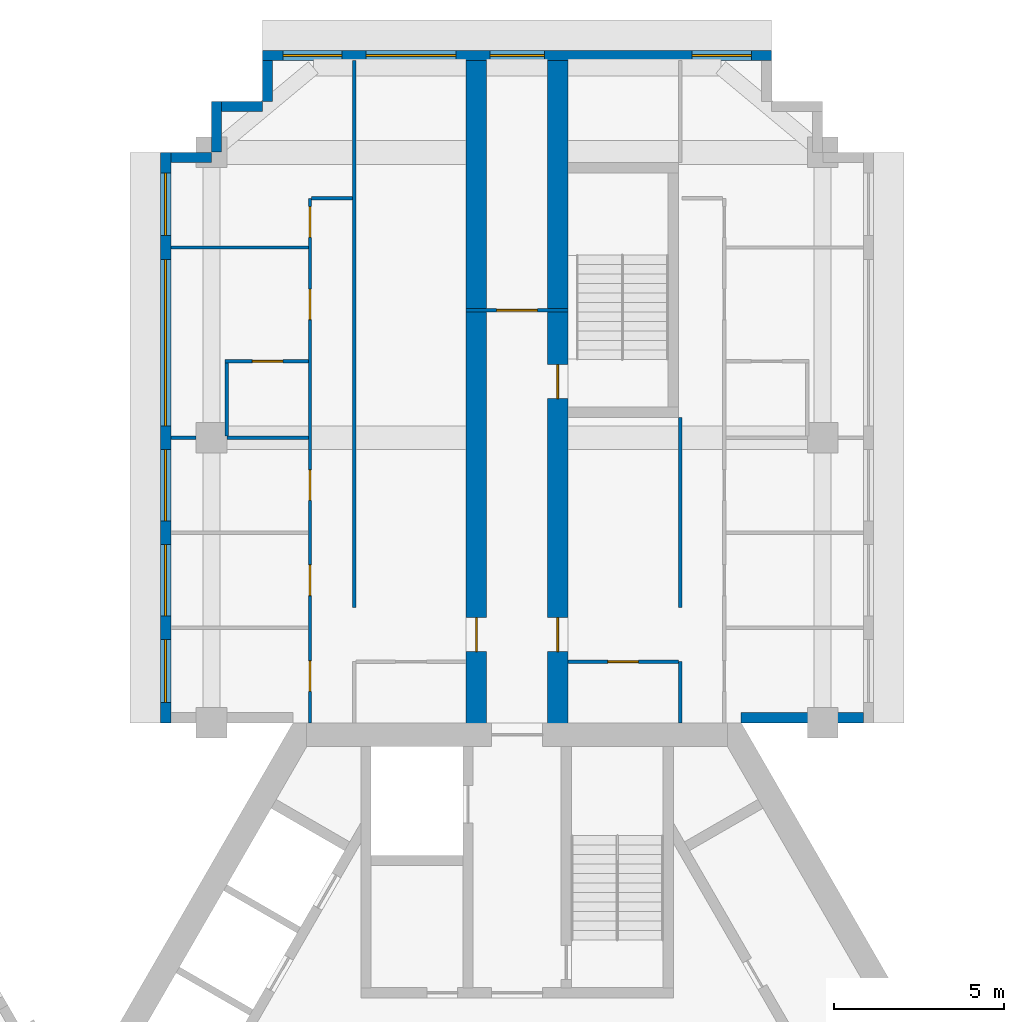
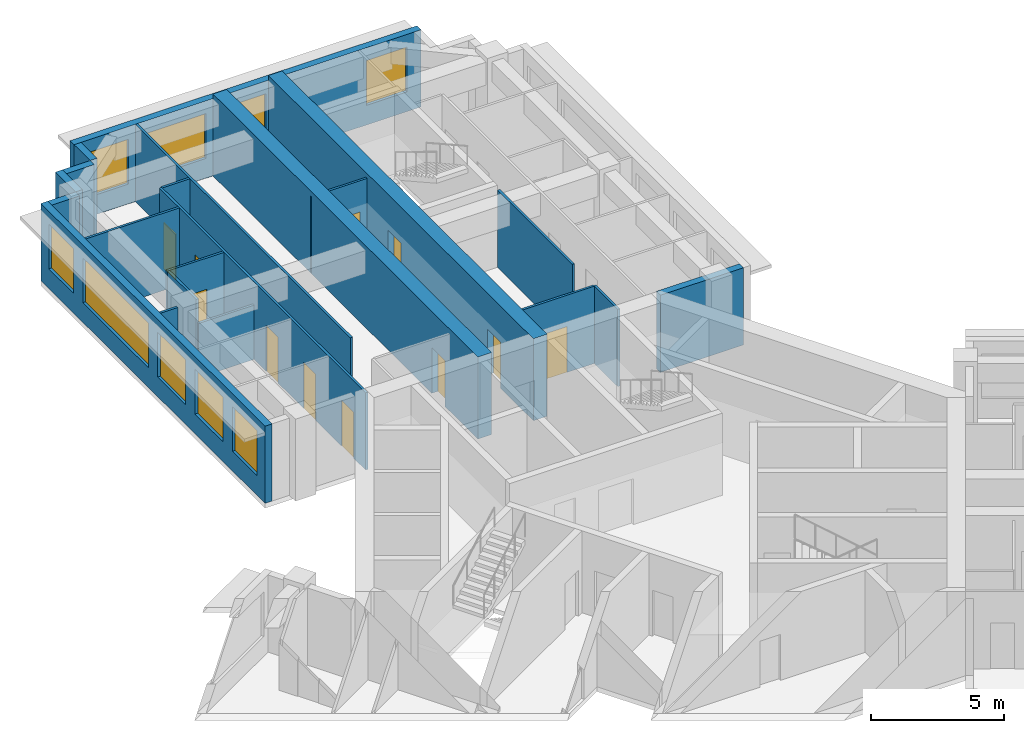
# One storey, part 7 of 10: 21 walls, 11 doors, 9 windows, 20 openings.
"""IFC4 building model written with IfcOpenShell, lengths in metres."""

from ifc_helpers import new_model, si_unit, direction, frame, frame_2d, origin, place, context, subcontext, project, spatial, rectangle, extrude, material, layer, layer_set, type_object, element, fill, save


model = new_model("IFC4")

# Units and contexts
model_context = context("Model", 3, precision=1e-05, world=origin(), true_north=direction((0.0, 1.0)))
body_context = subcontext(model_context, "Body", "Model", "MODEL_VIEW")
ifc_project = project(units=[si_unit("LENGTHUNIT", "METRE"), si_unit("AREAUNIT", "SQUARE_METRE"), si_unit("VOLUMEUNIT", "CUBIC_METRE"), si_unit("PLANEANGLEUNIT", "RADIAN"), si_unit("MASSUNIT", "GRAM", prefix="KILO")], contexts=[model_context])

# Site, building, storey
site_placement = place(None, origin())
site = spatial("IfcSite", under=ifc_project, at=site_placement, CompositionType="ELEMENT")
building_placement = place(site_placement, origin())
building = spatial("IfcBuilding", under=site, at=building_placement, Name="Impinga Residences", CompositionType="ELEMENT")
storey_placement = place(building_placement, frame((0.0, 0.0, 259.75)))
storey = spatial("IfcBuildingStorey", under=building, at=storey_placement, Name="L65", CompositionType="ELEMENT", Elevation=259.75)

# Wall, opening, door
ifc_material_1 = material(Name="Concrete C60/75", Category="concrete")
ifc_layer_1 = layer(ifc_material_1, 0.60009765625)
ifc_layer_set_1 = layer_set([ifc_layer_1], Name="Concrete C60/75")
wall_type_1 = type_object("IfcWallType", Name="BW3 corridor buttress wall, L46 to L73 600", PredefinedType="SHEAR", material=ifc_layer_set_1)
wall_1_placement = place(storey_placement, frame((-1.199951171875, 11.08154296875, 0.0), z_axis=(0.0, 0.0, 1.0), x_axis=(0.0, 1.0, 0.0)))
wall_1 = element("IfcWall", 1, at=wall_1_placement, inside=storey, type_object=wall_type_1, Name="Corridor wall BW3 NC L65", PredefinedType="SHEAR", context=body_context, shape_type="SweptSolid", body=[
    extrude(rectangle(XDim=19.85009765625, YDim=0.60009765625, at=frame_2d((9.925048828125, 0.0))), origin(), (0.0, 0.0, 1.0), 3.75),
])
opening_1_placement = place(wall_1_placement, frame((2.449951171875, 0.0, 0.0)))
opening_1 = element("IfcOpeningElement", 2, at=opening_1_placement, cuts=wall_1, Name="Opening D1", PredefinedType="OPENING", context=body_context, shape_type="SweptSolid", body=[
    extrude(rectangle(XDim=1.0, YDim=2.10009765625, at=frame_2d((0.5, 1.050048828125))), frame((0.0, 0.31005859375, 0.0), z_axis=(0.0, -1.0, 0.0), x_axis=(1.0, 0.0, 0.0)), (0.0, 0.0, 1.0), 0.6201171875),
])
ifc_material_2 = material(Name="Timber door set", Category="wood")
door_type_1 = type_object("IfcDoorType", Name="D1 apartment entrance door 1000x2100", OperationType="SINGLE_SWING_LEFT", PredefinedType="DOOR", material=ifc_material_2)
door_1_placement = place(opening_1_placement, origin())
door_1 = element("IfcDoor", 3, at=door_1_placement, inside=storey, type_object=door_type_1, Name="Apartment L65-NA1 entrance", OperationType="SINGLE_SWING_LEFT", OverallHeight=2.10009765625, OverallWidth=1.0, PredefinedType="DOOR", context=body_context, shape_type="SweptSolid", body=[
    extrude(rectangle(XDim=1.0, YDim=2.10009765625, at=frame_2d((0.5, 1.050048828125))), frame((0.0, 0.02490234375, 0.0), z_axis=(0.0, -1.0, 0.0), x_axis=(1.0, 0.0, 0.0)), (0.0, 0.0, 1.0), 0.050048828125),
])
fill(opening_1, door_1)

# Wall, openings, doors
wall_2_placement = place(storey_placement, frame((1.199951171875, 11.08154296875, 0.0), z_axis=(0.0, 0.0, 1.0), x_axis=(0.0, 1.0, 0.0)))
wall_2 = element("IfcWall", 4, at=wall_2_placement, inside=storey, type_object=wall_type_1, Name="Corridor wall BW3 ND L65", PredefinedType="SHEAR", context=body_context, shape_type="SweptSolid", body=[
    extrude(rectangle(XDim=19.85009765625, YDim=0.60009765625, at=frame_2d((9.925048828125, 0.0))), origin(), (0.0, 0.0, 1.0), 3.75),
])
opening_2_placement = place(wall_2_placement, frame((9.89990234375, 0.0, 0.0)))
opening_2 = element("IfcOpeningElement", 5, at=opening_2_placement, cuts=wall_2, Name="Opening D5", PredefinedType="OPENING", context=body_context, shape_type="SweptSolid", body=[
    extrude(rectangle(XDim=1.0, YDim=2.10009765625, at=frame_2d((0.5, 1.050048828125))), frame((0.0, 0.31005859375, 0.0), z_axis=(0.0, -1.0, 0.0), x_axis=(1.0, 0.0, 0.0)), (0.0, 0.0, 1.0), 0.6201171875),
])
opening_3_placement = place(wall_2_placement, frame((2.449951171875, 0.0, 0.0)))
opening_3 = element("IfcOpeningElement", 6, at=opening_3_placement, cuts=wall_2, Name="Opening D1", PredefinedType="OPENING", context=body_context, shape_type="SweptSolid", body=[
    extrude(rectangle(XDim=1.0, YDim=2.10009765625, at=frame_2d((0.5, 1.050048828125))), frame((0.0, 0.31005859375, 0.0), z_axis=(0.0, -1.0, 0.0), x_axis=(1.0, 0.0, 0.0)), (0.0, 0.0, 1.0), 0.6201171875),
])
door_2_placement = place(opening_3_placement, origin())
door_2 = element("IfcDoor", 7, at=door_2_placement, inside=storey, type_object=door_type_1, Name="Apartment L65-NF1 entrance", OperationType="SINGLE_SWING_LEFT", OverallHeight=2.10009765625, OverallWidth=1.0, PredefinedType="DOOR", context=body_context, shape_type="SweptSolid", body=[
    extrude(rectangle(XDim=1.0, YDim=2.10009765625, at=frame_2d((0.5, 1.050048828125))), frame((0.0, 0.02490234375, 0.0), z_axis=(0.0, -1.0, 0.0), x_axis=(1.0, 0.0, 0.0)), (0.0, 0.0, 1.0), 0.050048828125),
])
fill(opening_3, door_2)
door_type_2 = type_object("IfcDoorType", Name="D5 stair door 1000x2100", OperationType="SINGLE_SWING_LEFT", PredefinedType="DOOR", material=ifc_material_2)
door_3_placement = place(opening_2_placement, origin())
door_3 = element("IfcDoor", 8, at=door_3_placement, inside=storey, type_object=door_type_2, Name="Wing stair door N", OperationType="SINGLE_SWING_RIGHT", OverallHeight=2.10009765625, OverallWidth=1.0, PredefinedType="DOOR", context=body_context, shape_type="SweptSolid", body=[
    extrude(rectangle(XDim=1.0, YDim=2.10009765625, at=frame_2d((0.5, 1.050048828125))), frame((0.0, 0.02490234375, 0.0), z_axis=(0.0, -1.0, 0.0), x_axis=(1.0, 0.0, 0.0)), (0.0, 0.0, 1.0), 0.050048828125),
])
fill(opening_2, door_3)

# Wall, opening, door
ifc_material_3 = material(Name="Concrete blockwork", Category="masonry")
ifc_layer_2 = layer(ifc_material_3, 0.10009765625)
ifc_layer_set_2 = layer_set([ifc_layer_2], Name="CP1 core room partition, blockwork 100")
wall_type_2 = type_object("IfcWallType", Name="CP1 core room partition, blockwork 100", PredefinedType="PARTITIONING", material=ifc_layer_set_2)
wall_3_placement = place(storey_placement, frame((-1.5, 23.58154296875, 0.0), z_axis=(0.0, 0.0, 1.0), x_axis=(1.0, 0.0, 0.0)))
wall_3 = element("IfcWall", 9, at=wall_3_placement, inside=storey, type_object=wall_type_2, Name="Core room partition, blockwork L65:N:LNG", PredefinedType="PARTITIONING", context=body_context, shape_type="SweptSolid", body=[
    extrude(rectangle(XDim=3.0, YDim=0.10009765625, at=frame_2d((1.5, 0.0))), origin(), (0.0, 0.0, 1.0), 3.530029296875),
])
opening_4_placement = place(wall_3_placement, frame((0.89990234375, 0.0, 0.0)))
opening_4 = element("IfcOpeningElement", 10, at=opening_4_placement, cuts=wall_3, Name="Opening D3", PredefinedType="OPENING", context=body_context, shape_type="SweptSolid", body=[
    extrude(rectangle(XDim=1.199951171875, YDim=2.10009765625, at=frame_2d((0.60009765625, 1.050048828125))), frame((0.0, 0.06005859375, 0.0), z_axis=(0.0, -1.0, 0.0), x_axis=(1.0, 0.0, 0.0)), (0.0, 0.0, 1.0), 0.1201171875),
])
door_type_3 = type_object("IfcDoorType", Name="D3 room door, leaf and a half 1200x2100", OperationType="DOUBLE_SWING_LEFT", PredefinedType="DOOR", material=ifc_material_2)
door_4_placement = place(opening_4_placement, origin())
door_4 = element("IfcDoor", 11, at=door_4_placement, inside=storey, type_object=door_type_3, Name="Residents' lounge door N", OperationType="DOUBLE_SWING_LEFT", OverallHeight=2.10009765625, OverallWidth=1.199951171875, PredefinedType="DOOR", context=body_context, shape_type="SweptSolid", body=[
    extrude(rectangle(XDim=1.199951171875, YDim=2.10009765625, at=frame_2d((0.60009765625, 1.050048828125))), frame((0.0, 0.02490234375, 0.0), z_axis=(0.0, -1.0, 0.0), x_axis=(1.0, 0.0, 0.0)), (0.0, 0.0, 1.0), 0.050048828125),
])
fill(opening_4, door_4)

# Wall, openings, windows
ifc_material_4 = material(Name="Terracotta rainscreen on blockwork", Category="masonry")
ifc_layer_3 = layer(ifc_material_4, 0.300048828125)
ifc_layer_set_3 = layer_set([ifc_layer_3], Name="EW1 external wall, terracotta rainscreen on blockwork 300")
wall_type_3 = type_object("IfcWallType", Name="EW1 external wall, terracotta rainscreen on blockwork 300", PredefinedType="SOLIDWALL", material=ifc_layer_set_3)
wall_4_placement = place(storey_placement, frame((-10.35009765625, 11.431640625, 0.0), z_axis=(0.0, 0.0, 1.0), x_axis=(0.0, 1.0, 0.0)))
wall_4 = element("IfcWall", 12, at=wall_4_placement, inside=storey, type_object=wall_type_3, Name="External wall EW1 L65", PredefinedType="SOLIDWALL", context=body_context, shape_type="SweptSolid", body=[
    extrude(rectangle(XDim=16.7998046875, YDim=0.300048828125, at=frame_2d((8.39990234375, 0.0))), origin(), (0.0, 0.0, 1.0), 3.530029296875),
])
opening_5_placement = place(wall_4_placement, frame((0.60009765625, 0.0, 0.89990234375)))
opening_5 = element("IfcOpeningElement", 13, at=opening_5_placement, cuts=wall_4, Name="Opening W15", PredefinedType="OPENING", context=body_context, shape_type="SweptSolid", body=[
    extrude(rectangle(XDim=1.85009765625, YDim=2.050048828125, at=frame_2d((0.925048828125, 1.02490234375))), frame((0.0, 0.159912109375, 0.0), z_axis=(0.0, -1.0, 0.0), x_axis=(1.0, 0.0, 0.0)), (0.0, 0.0, 1.0), 0.320068359375),
])
opening_6_placement = place(wall_4_placement, frame((3.14990234375, 0.0, 0.89990234375)))
opening_6 = element("IfcOpeningElement", 14, at=opening_6_placement, cuts=wall_4, Name="Opening W9", PredefinedType="OPENING", context=body_context, shape_type="SweptSolid", body=[
    extrude(rectangle(XDim=2.10009765625, YDim=2.050048828125, at=frame_2d((1.050048828125, 1.02490234375))), frame((0.0, 0.159912109375, 0.0), z_axis=(0.0, -1.0, 0.0), x_axis=(1.0, 0.0, 0.0)), (0.0, 0.0, 1.0), 0.320068359375),
])
opening_7_placement = place(wall_4_placement, frame((5.949951171875, 0.0, 0.89990234375)))
opening_7 = element("IfcOpeningElement", 15, at=opening_7_placement, cuts=wall_4, Name="Opening W9", PredefinedType="OPENING", context=body_context, shape_type="SweptSolid", body=[
    extrude(rectangle(XDim=2.10009765625, YDim=2.050048828125, at=frame_2d((1.050048828125, 1.02490234375))), frame((0.0, 0.159912109375, 0.0), z_axis=(0.0, -1.0, 0.0), x_axis=(1.0, 0.0, 0.0)), (0.0, 0.0, 1.0), 0.320068359375),
])
opening_8_placement = place(wall_4_placement, frame((8.75, 0.0, 0.89990234375)))
opening_8 = element("IfcOpeningElement", 16, at=opening_8_placement, cuts=wall_4, Name="Opening W16", PredefinedType="OPENING", context=body_context, shape_type="SweptSolid", body=[
    extrude(rectangle(XDim=4.89990234375, YDim=2.050048828125, at=frame_2d((2.449951171875, 1.02490234375))), frame((0.0, 0.159912109375, 0.0), z_axis=(0.0, -1.0, 0.0), x_axis=(1.0, 0.0, 0.0)), (0.0, 0.0, 1.0), 0.320068359375),
])
opening_9_placement = place(wall_4_placement, frame((14.35009765625, 0.0, 0.89990234375)))
opening_9 = element("IfcOpeningElement", 17, at=opening_9_placement, cuts=wall_4, Name="Opening W15", PredefinedType="OPENING", context=body_context, shape_type="SweptSolid", body=[
    extrude(rectangle(XDim=1.85009765625, YDim=2.050048828125, at=frame_2d((0.925048828125, 1.02490234375))), frame((0.0, 0.159912109375, 0.0), z_axis=(0.0, -1.0, 0.0), x_axis=(1.0, 0.0, 0.0)), (0.0, 0.0, 1.0), 0.320068359375),
])
ifc_material_5 = material(Name="Aluminium window, clear double glazing", Category="aluminium")
window_type_1 = type_object("IfcWindowType", Name="W15 ribbon window 1850x2050", PartitioningType="SINGLE_PANEL", PredefinedType="WINDOW", material=ifc_material_5)
window_1_placement = place(opening_5_placement, origin())
window_1 = element("IfcWindow", 18, at=window_1_placement, inside=storey, type_object=window_type_1, Name="Window L65", OverallHeight=2.050048828125, OverallWidth=1.85009765625, PartitioningType="SINGLE_PANEL", PredefinedType="WINDOW", context=body_context, shape_type="SweptSolid", body=[
    extrude(rectangle(XDim=1.85009765625, YDim=2.050048828125, at=frame_2d((0.925048828125, 1.02490234375))), frame((0.0, 0.030029296875, 0.0), z_axis=(0.0, -1.0, 0.0), x_axis=(1.0, 0.0, 0.0)), (0.0, 0.0, 1.0), 0.06005859375),
])
fill(opening_5, window_1)
window_2_placement = place(opening_9_placement, origin())
window_2 = element("IfcWindow", 19, at=window_2_placement, inside=storey, type_object=window_type_1, Name="Window L65", OverallHeight=2.050048828125, OverallWidth=1.85009765625, PartitioningType="SINGLE_PANEL", PredefinedType="WINDOW", context=body_context, shape_type="SweptSolid", body=[
    extrude(rectangle(XDim=1.85009765625, YDim=2.050048828125, at=frame_2d((0.925048828125, 1.02490234375))), frame((0.0, 0.030029296875, 0.0), z_axis=(0.0, -1.0, 0.0), x_axis=(1.0, 0.0, 0.0)), (0.0, 0.0, 1.0), 0.06005859375),
])
fill(opening_9, window_2)
window_type_2 = type_object("IfcWindowType", Name="W16 ribbon window 4900x2050", PartitioningType="SINGLE_PANEL", PredefinedType="WINDOW", material=ifc_material_5)
window_3_placement = place(opening_8_placement, origin())
window_3 = element("IfcWindow", 20, at=window_3_placement, inside=storey, type_object=window_type_2, Name="Window L65", OverallHeight=2.050048828125, OverallWidth=4.89990234375, PartitioningType="SINGLE_PANEL", PredefinedType="WINDOW", context=body_context, shape_type="SweptSolid", body=[
    extrude(rectangle(XDim=4.89990234375, YDim=2.050048828125, at=frame_2d((2.449951171875, 1.02490234375))), frame((0.0, 0.030029296875, 0.0), z_axis=(0.0, -1.0, 0.0), x_axis=(1.0, 0.0, 0.0)), (0.0, 0.0, 1.0), 0.06005859375),
])
fill(opening_8, window_3)
window_type_3 = type_object("IfcWindowType", Name="W9 ribbon window 2100x2050", PartitioningType="SINGLE_PANEL", PredefinedType="WINDOW", material=ifc_material_5)
window_4_placement = place(opening_6_placement, origin())
window_4 = element("IfcWindow", 21, at=window_4_placement, inside=storey, type_object=window_type_3, Name="Window L65", OverallHeight=2.050048828125, OverallWidth=2.10009765625, PartitioningType="SINGLE_PANEL", PredefinedType="WINDOW", context=body_context, shape_type="SweptSolid", body=[
    extrude(rectangle(XDim=2.10009765625, YDim=2.050048828125, at=frame_2d((1.050048828125, 1.02490234375))), frame((0.0, 0.030029296875, 0.0), z_axis=(0.0, -1.0, 0.0), x_axis=(1.0, 0.0, 0.0)), (0.0, 0.0, 1.0), 0.06005859375),
])
fill(opening_6, window_4)
window_5_placement = place(opening_7_placement, origin())
window_5 = element("IfcWindow", 22, at=window_5_placement, inside=storey, type_object=window_type_3, Name="Window L65", OverallHeight=2.050048828125, OverallWidth=2.10009765625, PartitioningType="SINGLE_PANEL", PredefinedType="WINDOW", context=body_context, shape_type="SweptSolid", body=[
    extrude(rectangle(XDim=2.10009765625, YDim=2.050048828125, at=frame_2d((1.050048828125, 1.02490234375))), frame((0.0, 0.030029296875, 0.0), z_axis=(0.0, -1.0, 0.0), x_axis=(1.0, 0.0, 0.0)), (0.0, 0.0, 1.0), 0.06005859375),
])
fill(opening_7, window_5)

# Walls
wall_5_placement = place(storey_placement, frame((-10.199951171875, 28.08154296875, 0.0), z_axis=(0.0, 0.0, 1.0), x_axis=(1.0, 0.0, 0.0)))
element("IfcWall", 23, at=wall_5_placement, inside=storey, type_object=wall_type_3, Name="External wall EW1 L65", PredefinedType="SOLIDWALL", context=body_context, shape_type="SweptSolid", body=[
    extrude(rectangle(XDim=1.199951171875, YDim=0.300048828125, at=frame_2d((0.60009765625, 0.0))), origin(), (0.0, 0.0, 1.0), 3.530029296875),
])
wall_6_placement = place(storey_placement, frame((-8.85009765625, 28.236572265625, 0.0), z_axis=(0.0, 0.0, 1.0), x_axis=(0.0, 1.0, 0.0)))
element("IfcWall", 24, at=wall_6_placement, inside=storey, type_object=wall_type_3, Name="External wall EW1 L65", PredefinedType="SOLIDWALL", context=body_context, shape_type="SweptSolid", body=[
    extrude(rectangle(XDim=1.494873046875, YDim=0.300048828125, at=frame_2d((0.74755859375, 0.0))), origin(), (0.0, 0.0, 1.0), 3.530029296875),
])
wall_7_placement = place(storey_placement, frame((-8.699951171875, 29.58154296875, 0.0), z_axis=(0.0, 0.0, 1.0), x_axis=(1.0, 0.0, 0.0)))
element("IfcWall", 25, at=wall_7_placement, inside=storey, type_object=wall_type_3, Name="External wall EW1 L65", PredefinedType="SOLIDWALL", context=body_context, shape_type="SweptSolid", body=[
    extrude(rectangle(XDim=1.199951171875, YDim=0.300048828125, at=frame_2d((0.60009765625, 0.0))), origin(), (0.0, 0.0, 1.0), 3.530029296875),
])
wall_8_placement = place(storey_placement, frame((-7.35009765625, 29.736572265625, 0.0), z_axis=(0.0, 0.0, 1.0), x_axis=(0.0, 1.0, 0.0)))
element("IfcWall", 26, at=wall_8_placement, inside=storey, type_object=wall_type_3, Name="External wall EW1 L65", PredefinedType="SOLIDWALL", context=body_context, shape_type="SweptSolid", body=[
    extrude(rectangle(XDim=1.195068359375, YDim=0.300048828125, at=frame_2d((0.59765625, 0.0))), origin(), (0.0, 0.0, 1.0), 3.530029296875),
])

# Wall, openings, windows
wall_9_placement = place(storey_placement, frame((-7.5, 31.08154296875, 0.0), z_axis=(0.0, 0.0, 1.0), x_axis=(1.0, 0.0, 0.0)))
wall_9 = element("IfcWall", 27, at=wall_9_placement, inside=storey, type_object=wall_type_3, Name="External wall EW1 L65", PredefinedType="SOLIDWALL", context=body_context, shape_type="SweptSolid", body=[
    extrude(rectangle(XDim=15.0, YDim=0.300048828125, at=frame_2d((7.5, 0.0))), origin(), (0.0, 0.0, 1.0), 3.530029296875),
])
opening_10_placement = place(wall_9_placement, frame((0.60009765625, 0.0, 0.89990234375)))
opening_10 = element("IfcOpeningElement", 28, at=opening_10_placement, cuts=wall_9, Name="Opening W1", PredefinedType="OPENING", context=body_context, shape_type="SweptSolid", body=[
    extrude(rectangle(XDim=1.75, YDim=2.050048828125, at=frame_2d((0.875, 1.02490234375))), frame((0.0, 0.159912109375, 0.0), z_axis=(0.0, -1.0, 0.0), x_axis=(1.0, 0.0, 0.0)), (0.0, 0.0, 1.0), 0.320068359375),
])
opening_11_placement = place(wall_9_placement, frame((3.050048828125, 0.0, 0.89990234375)))
opening_11 = element("IfcOpeningElement", 29, at=opening_11_placement, cuts=wall_9, Name="Opening W18", PredefinedType="OPENING", context=body_context, shape_type="SweptSolid", body=[
    extrude(rectangle(XDim=2.64990234375, YDim=2.050048828125, at=frame_2d((1.324951171875, 1.02490234375))), frame((0.0, 0.159912109375, 0.0), z_axis=(0.0, -1.0, 0.0), x_axis=(1.0, 0.0, 0.0)), (0.0, 0.0, 1.0), 0.320068359375),
])
opening_12_placement = place(wall_9_placement, frame((6.699951171875, 0.0, 0.89990234375)))
opening_12 = element("IfcOpeningElement", 30, at=opening_12_placement, cuts=wall_9, Name="Opening W19", PredefinedType="OPENING", context=body_context, shape_type="SweptSolid", body=[
    extrude(rectangle(XDim=1.60009765625, YDim=2.050048828125, at=frame_2d((0.800048828125, 1.02490234375))), frame((0.0, 0.159912109375, 0.0), z_axis=(0.0, -1.0, 0.0), x_axis=(1.0, 0.0, 0.0)), (0.0, 0.0, 1.0), 0.320068359375),
])
opening_13_placement = place(wall_9_placement, frame((12.64990234375, 0.0, 0.89990234375)))
opening_13 = element("IfcOpeningElement", 31, at=opening_13_placement, cuts=wall_9, Name="Opening W1", PredefinedType="OPENING", context=body_context, shape_type="SweptSolid", body=[
    extrude(rectangle(XDim=1.75, YDim=2.050048828125, at=frame_2d((0.875, 1.02490234375))), frame((0.0, 0.159912109375, 0.0), z_axis=(0.0, -1.0, 0.0), x_axis=(1.0, 0.0, 0.0)), (0.0, 0.0, 1.0), 0.320068359375),
])
window_type_4 = type_object("IfcWindowType", Name="W1 ribbon window 1750x2050", PartitioningType="SINGLE_PANEL", PredefinedType="WINDOW", material=ifc_material_5)
window_6_placement = place(opening_10_placement, origin())
window_6 = element("IfcWindow", 32, at=window_6_placement, inside=storey, type_object=window_type_4, Name="Window L65", OverallHeight=2.050048828125, OverallWidth=1.75, PartitioningType="SINGLE_PANEL", PredefinedType="WINDOW", context=body_context, shape_type="SweptSolid", body=[
    extrude(rectangle(XDim=1.75, YDim=2.050048828125, at=frame_2d((0.875, 1.02490234375))), frame((0.0, 0.030029296875, 0.0), z_axis=(0.0, -1.0, 0.0), x_axis=(1.0, 0.0, 0.0)), (0.0, 0.0, 1.0), 0.06005859375),
])
fill(opening_10, window_6)
window_7_placement = place(opening_13_placement, origin())
window_7 = element("IfcWindow", 33, at=window_7_placement, inside=storey, type_object=window_type_4, Name="Window L65", OverallHeight=2.050048828125, OverallWidth=1.75, PartitioningType="SINGLE_PANEL", PredefinedType="WINDOW", context=body_context, shape_type="SweptSolid", body=[
    extrude(rectangle(XDim=1.75, YDim=2.050048828125, at=frame_2d((0.875, 1.02490234375))), frame((0.0, 0.030029296875, 0.0), z_axis=(0.0, -1.0, 0.0), x_axis=(1.0, 0.0, 0.0)), (0.0, 0.0, 1.0), 0.06005859375),
])
fill(opening_13, window_7)
window_type_5 = type_object("IfcWindowType", Name="W18 ribbon window 2650x2050", PartitioningType="SINGLE_PANEL", PredefinedType="WINDOW", material=ifc_material_5)
window_8_placement = place(opening_11_placement, origin())
window_8 = element("IfcWindow", 34, at=window_8_placement, inside=storey, type_object=window_type_5, Name="Window L65", OverallHeight=2.050048828125, OverallWidth=2.64990234375, PartitioningType="SINGLE_PANEL", PredefinedType="WINDOW", context=body_context, shape_type="SweptSolid", body=[
    extrude(rectangle(XDim=2.64990234375, YDim=2.050048828125, at=frame_2d((1.324951171875, 1.02490234375))), frame((0.0, 0.030029296875, 0.0), z_axis=(0.0, -1.0, 0.0), x_axis=(1.0, 0.0, 0.0)), (0.0, 0.0, 1.0), 0.06005859375),
])
fill(opening_11, window_8)
window_type_6 = type_object("IfcWindowType", Name="W19 ribbon window 1600x2050", PartitioningType="SINGLE_PANEL", PredefinedType="WINDOW", material=ifc_material_5)
window_9_placement = place(opening_12_placement, origin())
window_9 = element("IfcWindow", 35, at=window_9_placement, inside=storey, type_object=window_type_6, Name="Window L65", OverallHeight=2.050048828125, OverallWidth=1.60009765625, PartitioningType="SINGLE_PANEL", PredefinedType="WINDOW", context=body_context, shape_type="SweptSolid", body=[
    extrude(rectangle(XDim=1.60009765625, YDim=2.050048828125, at=frame_2d((0.800048828125, 1.02490234375))), frame((0.0, 0.030029296875, 0.0), z_axis=(0.0, -1.0, 0.0), x_axis=(1.0, 0.0, 0.0)), (0.0, 0.0, 1.0), 0.06005859375),
])
fill(opening_12, window_9)

# Walls
wall_10_placement = place(storey_placement, frame((10.199951171875, 11.58154296875, 0.0), z_axis=(0.0, 0.0, 1.0), x_axis=(-1.0, 0.0, 0.0)))
element("IfcWall", 36, at=wall_10_placement, inside=storey, type_object=wall_type_3, Name="External wall EW1 L65", PredefinedType="SOLIDWALL", context=body_context, shape_type="SweptSolid", body=[
    extrude(rectangle(XDim=3.599853515625, YDim=0.300048828125, at=frame_2d((1.7998046875, 0.0))), origin(), (0.0, 0.0, 1.0), 3.530029296875),
])
ifc_material_6 = material(Name="Gypsum board on steel studs", Category="steel")
ifc_layer_4 = layer(ifc_material_6, 0.10009765625)
ifc_layer_set_4 = layer_set([ifc_layer_4], Name="Gypsum board on steel studs")
wall_type_4 = type_object("IfcWallType", Name="IP1 partition 100", PredefinedType="PARTITIONING", material=ifc_layer_set_4)
wall_11_placement = place(storey_placement, frame((-4.800048828125, 14.83154296875, 0.0), z_axis=(0.0, 0.0, 1.0), x_axis=(0.0, 1.0, 0.0)))
element("IfcWall", 37, at=wall_11_placement, inside=storey, type_object=wall_type_4, Name="Partition L65-NA1:DIV1", PredefinedType="PARTITIONING", context=body_context, shape_type="SweptSolid", body=[
    extrude(rectangle(XDim=16.10009765625, YDim=0.10009765625, at=frame_2d((8.050048828125, 0.0))), origin(), (0.0, 0.0, 1.0), 3.530029296875),
])

# Wall, openings, doors
wall_12_placement = place(storey_placement, frame((-6.10009765625, 11.431640625, 0.0), z_axis=(0.0, 0.0, 1.0), x_axis=(0.0, 1.0, 0.0)))
wall_12 = element("IfcWall", 38, at=wall_12_placement, inside=storey, type_object=wall_type_4, Name="Partition L65-NA1:STRIP", PredefinedType="PARTITIONING", context=body_context, shape_type="SweptSolid", body=[
    extrude(rectangle(XDim=15.449951171875, YDim=0.10009765625, at=frame_2d((7.72509765625, 0.0))), origin(), (0.0, 0.0, 1.0), 3.530029296875),
])
opening_14_placement = place(wall_12_placement, frame((0.925048828125, 0.0, 0.0)))
opening_14 = element("IfcOpeningElement", 39, at=opening_14_placement, cuts=wall_12, Name="Opening D2", PredefinedType="OPENING", context=body_context, shape_type="SweptSolid", body=[
    extrude(rectangle(XDim=0.89990234375, YDim=2.10009765625, at=frame_2d((0.449951171875, 1.050048828125))), frame((0.0, 0.06005859375, 0.0), z_axis=(0.0, -1.0, 0.0), x_axis=(1.0, 0.0, 0.0)), (0.0, 0.0, 1.0), 0.1201171875),
])
opening_15_placement = place(wall_12_placement, frame((3.75, 0.0, 0.0)))
opening_15 = element("IfcOpeningElement", 40, at=opening_15_placement, cuts=wall_12, Name="Opening D2", PredefinedType="OPENING", context=body_context, shape_type="SweptSolid", body=[
    extrude(rectangle(XDim=0.89990234375, YDim=2.10009765625, at=frame_2d((0.449951171875, 1.050048828125))), frame((0.0, 0.06005859375, 0.0), z_axis=(0.0, -1.0, 0.0), x_axis=(1.0, 0.0, 0.0)), (0.0, 0.0, 1.0), 0.1201171875),
])
opening_16_placement = place(wall_12_placement, frame((6.550048828125, 0.0, 0.0)))
opening_16 = element("IfcOpeningElement", 41, at=opening_16_placement, cuts=wall_12, Name="Opening D2", PredefinedType="OPENING", context=body_context, shape_type="SweptSolid", body=[
    extrude(rectangle(XDim=0.89990234375, YDim=2.10009765625, at=frame_2d((0.449951171875, 1.050048828125))), frame((0.0, 0.06005859375, 0.0), z_axis=(0.0, -1.0, 0.0), x_axis=(1.0, 0.0, 0.0)), (0.0, 0.0, 1.0), 0.1201171875),
])
opening_17_placement = place(wall_12_placement, frame((11.875, 0.0, 0.0)))
opening_17 = element("IfcOpeningElement", 42, at=opening_17_placement, cuts=wall_12, Name="Opening D2", PredefinedType="OPENING", context=body_context, shape_type="SweptSolid", body=[
    extrude(rectangle(XDim=0.89990234375, YDim=2.10009765625, at=frame_2d((0.449951171875, 1.050048828125))), frame((0.0, 0.06005859375, 0.0), z_axis=(0.0, -1.0, 0.0), x_axis=(1.0, 0.0, 0.0)), (0.0, 0.0, 1.0), 0.1201171875),
])
opening_18_placement = place(wall_12_placement, frame((14.300048828125, 0.0, 0.0)))
opening_18 = element("IfcOpeningElement", 43, at=opening_18_placement, cuts=wall_12, Name="Opening D2", PredefinedType="OPENING", context=body_context, shape_type="SweptSolid", body=[
    extrude(rectangle(XDim=0.89990234375, YDim=2.10009765625, at=frame_2d((0.449951171875, 1.050048828125))), frame((0.0, 0.06005859375, 0.0), z_axis=(0.0, -1.0, 0.0), x_axis=(1.0, 0.0, 0.0)), (0.0, 0.0, 1.0), 0.1201171875),
])
door_type_4 = type_object("IfcDoorType", Name="D2 internal door 900x2100", OperationType="SINGLE_SWING_LEFT", PredefinedType="DOOR", material=ifc_material_2)
door_5_placement = place(opening_14_placement, origin())
door_5 = element("IfcDoor", 44, at=door_5_placement, inside=storey, type_object=door_type_4, Name="Apartment L65-NA1 room door", OperationType="SINGLE_SWING_LEFT", OverallHeight=2.10009765625, OverallWidth=0.89990234375, PredefinedType="DOOR", context=body_context, shape_type="SweptSolid", body=[
    extrude(rectangle(XDim=0.89990234375, YDim=2.10009765625, at=frame_2d((0.449951171875, 1.050048828125))), frame((0.0, 0.02490234375, 0.0), z_axis=(0.0, -1.0, 0.0), x_axis=(1.0, 0.0, 0.0)), (0.0, 0.0, 1.0), 0.050048828125),
])
fill(opening_14, door_5)
door_6_placement = place(opening_15_placement, origin())
door_6 = element("IfcDoor", 45, at=door_6_placement, inside=storey, type_object=door_type_4, Name="Apartment L65-NA1 room door", OperationType="SINGLE_SWING_LEFT", OverallHeight=2.10009765625, OverallWidth=0.89990234375, PredefinedType="DOOR", context=body_context, shape_type="SweptSolid", body=[
    extrude(rectangle(XDim=0.89990234375, YDim=2.10009765625, at=frame_2d((0.449951171875, 1.050048828125))), frame((0.0, 0.02490234375, 0.0), z_axis=(0.0, -1.0, 0.0), x_axis=(1.0, 0.0, 0.0)), (0.0, 0.0, 1.0), 0.050048828125),
])
fill(opening_15, door_6)
door_7_placement = place(opening_16_placement, origin())
door_7 = element("IfcDoor", 46, at=door_7_placement, inside=storey, type_object=door_type_4, Name="Apartment L65-NA1 room door", OperationType="SINGLE_SWING_LEFT", OverallHeight=2.10009765625, OverallWidth=0.89990234375, PredefinedType="DOOR", context=body_context, shape_type="SweptSolid", body=[
    extrude(rectangle(XDim=0.89990234375, YDim=2.10009765625, at=frame_2d((0.449951171875, 1.050048828125))), frame((0.0, 0.02490234375, 0.0), z_axis=(0.0, -1.0, 0.0), x_axis=(1.0, 0.0, 0.0)), (0.0, 0.0, 1.0), 0.050048828125),
])
fill(opening_16, door_7)
door_8_placement = place(opening_17_placement, origin())
door_8 = element("IfcDoor", 47, at=door_8_placement, inside=storey, type_object=door_type_4, Name="Apartment L65-NA1 room door", OperationType="SINGLE_SWING_RIGHT", OverallHeight=2.10009765625, OverallWidth=0.89990234375, PredefinedType="DOOR", context=body_context, shape_type="SweptSolid", body=[
    extrude(rectangle(XDim=0.89990234375, YDim=2.10009765625, at=frame_2d((0.449951171875, 1.050048828125))), frame((0.0, 0.02490234375, 0.0), z_axis=(0.0, -1.0, 0.0), x_axis=(1.0, 0.0, 0.0)), (0.0, 0.0, 1.0), 0.050048828125),
])
fill(opening_17, door_8)
door_9_placement = place(opening_18_placement, origin())
door_9 = element("IfcDoor", 48, at=door_9_placement, inside=storey, type_object=door_type_4, Name="Apartment L65-NA1 room door", OperationType="SINGLE_SWING_RIGHT", OverallHeight=2.10009765625, OverallWidth=0.89990234375, PredefinedType="DOOR", context=body_context, shape_type="SweptSolid", body=[
    extrude(rectangle(XDim=0.89990234375, YDim=2.10009765625, at=frame_2d((0.449951171875, 1.050048828125))), frame((0.0, 0.02490234375, 0.0), z_axis=(0.0, -1.0, 0.0), x_axis=(1.0, 0.0, 0.0)), (0.0, 0.0, 1.0), 0.050048828125),
])
fill(opening_18, door_9)

# Walls
wall_13_placement = place(storey_placement, frame((-4.85009765625, 26.881591796875, 0.0), z_axis=(0.0, 0.0, 1.0), x_axis=(-1.0, 0.0, 0.0)))
element("IfcWall", 49, at=wall_13_placement, inside=storey, type_object=wall_type_4, Name="Partition L65-NA1:SE1", PredefinedType="PARTITIONING", context=body_context, shape_type="SweptSolid", body=[
    extrude(rectangle(XDim=1.199951171875, YDim=0.10009765625, at=frame_2d((0.60009765625, 0.0))), origin(), (0.0, 0.0, 1.0), 3.530029296875),
])
wall_14_placement = place(storey_placement, frame((-6.14990234375, 19.83154296875, 0.0), z_axis=(0.0, 0.0, 1.0), x_axis=(-1.0, 0.0, 0.0)))
element("IfcWall", 50, at=wall_14_placement, inside=storey, type_object=wall_type_4, Name="Partition L65-NA1:OB3", PredefinedType="PARTITIONING", context=body_context, shape_type="SweptSolid", body=[
    extrude(rectangle(XDim=2.400146484375, YDim=0.10009765625, at=frame_2d((1.2001953125, 0.0))), origin(), (0.0, 0.0, 1.0), 2.47998046875),
])
wall_15_placement = place(storey_placement, frame((-9.449951171875, 19.83154296875, 0.0), z_axis=(0.0, 0.0, 1.0), x_axis=(-1.0, 0.0, 0.0)))
element("IfcWall", 51, at=wall_15_placement, inside=storey, type_object=wall_type_4, Name="Partition L65-NA1:OB3b", PredefinedType="PARTITIONING", context=body_context, shape_type="SweptSolid", body=[
    extrude(rectangle(XDim=0.75, YDim=0.10009765625, at=frame_2d((0.375, 0.0))), origin(), (0.0, 0.0, 1.0), 3.530029296875),
])
wall_16_placement = place(storey_placement, frame((-6.14990234375, 25.431640625, 0.0), z_axis=(0.0, 0.0, 1.0), x_axis=(-1.0, 0.0, 0.0)))
element("IfcWall", 52, at=wall_16_placement, inside=storey, type_object=wall_type_4, Name="Partition L65-NA1:OB4", PredefinedType="PARTITIONING", context=body_context, shape_type="SweptSolid", body=[
    extrude(rectangle(XDim=4.050048828125, YDim=0.10009765625, at=frame_2d((2.02490234375, 0.0))), origin(), (0.0, 0.0, 1.0), 3.530029296875),
])

# Wall, opening, door
wall_17_placement = place(storey_placement, frame((-6.14990234375, 22.08154296875, 0.0), z_axis=(0.0, 0.0, 1.0), x_axis=(-1.0, 0.0, 0.0)))
wall_17 = element("IfcWall", 53, at=wall_17_placement, inside=storey, type_object=wall_type_4, Name="Partition L65-NA1:EN1", PredefinedType="PARTITIONING", context=body_context, shape_type="SweptSolid", body=[
    extrude(rectangle(XDim=2.4501953125, YDim=0.10009765625, at=frame_2d((1.22509765625, 0.0))), origin(), (0.0, 0.0, 1.0), 3.530029296875),
])
opening_19_placement = place(wall_17_placement, frame((0.75, 0.0, 0.0)))
opening_19 = element("IfcOpeningElement", 54, at=opening_19_placement, cuts=wall_17, Name="Opening D2", PredefinedType="OPENING", context=body_context, shape_type="SweptSolid", body=[
    extrude(rectangle(XDim=0.89990234375, YDim=2.10009765625, at=frame_2d((0.449951171875, 1.050048828125))), frame((0.0, 0.06005859375, 0.0), z_axis=(0.0, -1.0, 0.0), x_axis=(1.0, 0.0, 0.0)), (0.0, 0.0, 1.0), 0.1201171875),
])
door_10_placement = place(opening_19_placement, origin())
door_10 = element("IfcDoor", 55, at=door_10_placement, inside=storey, type_object=door_type_4, Name="Apartment L65-NA1 en-suite door", OperationType="SINGLE_SWING_LEFT", OverallHeight=2.10009765625, OverallWidth=0.89990234375, PredefinedType="DOOR", context=body_context, shape_type="SweptSolid", body=[
    extrude(rectangle(XDim=0.89990234375, YDim=2.10009765625, at=frame_2d((0.449951171875, 1.050048828125))), frame((0.0, 0.02490234375, 0.0), z_axis=(0.0, -1.0, 0.0), x_axis=(1.0, 0.0, 0.0)), (0.0, 0.0, 1.0), 0.050048828125),
])
fill(opening_19, door_10)

# Walls
wall_18_placement = place(storey_placement, frame((-8.550048828125, 19.881591796875, 0.0), z_axis=(0.0, 0.0, 1.0), x_axis=(0.0, 1.0, 0.0)))
element("IfcWall", 56, at=wall_18_placement, inside=storey, type_object=wall_type_4, Name="Partition L65-NA1:EN2", PredefinedType="PARTITIONING", context=body_context, shape_type="SweptSolid", body=[
    extrude(rectangle(XDim=2.14990234375, YDim=0.10009765625, at=frame_2d((1.074951171875, 0.0))), origin(), (0.0, 0.0, 1.0), 3.530029296875),
])
wall_19_placement = place(storey_placement, frame((4.800048828125, 11.431640625, 0.0), z_axis=(0.0, 0.0, 1.0), x_axis=(0.0, 1.0, 0.0)))
element("IfcWall", 57, at=wall_19_placement, inside=storey, type_object=wall_type_4, Name="Partition L65-NF1:DIV0", PredefinedType="PARTITIONING", context=body_context, shape_type="SweptSolid", body=[
    extrude(rectangle(XDim=1.7998046875, YDim=0.10009765625, at=frame_2d((0.89990234375, 0.0))), origin(), (0.0, 0.0, 1.0), 3.530029296875),
])
wall_20_placement = place(storey_placement, frame((4.800048828125, 14.83154296875, 0.0), z_axis=(0.0, 0.0, 1.0), x_axis=(0.0, 1.0, 0.0)))
element("IfcWall", 58, at=wall_20_placement, inside=storey, type_object=wall_type_4, Name="Partition L65-NF1:DIV1", PredefinedType="PARTITIONING", context=body_context, shape_type="SweptSolid", body=[
    extrude(rectangle(XDim=5.60009765625, YDim=0.10009765625, at=frame_2d((2.800048828125, 0.0))), origin(), (0.0, 0.0, 1.0), 3.530029296875),
])

# Wall, opening, door
wall_21_placement = place(storey_placement, frame((1.5, 13.2314453125, 0.0), z_axis=(0.0, 0.0, 1.0), x_axis=(1.0, 0.0, 0.0)))
wall_21 = element("IfcWall", 59, at=wall_21_placement, inside=storey, type_object=wall_type_4, Name="Partition L65-NF1:IB1", PredefinedType="PARTITIONING", context=body_context, shape_type="SweptSolid", body=[
    extrude(rectangle(XDim=3.25, YDim=0.10009765625, at=frame_2d((1.625, 0.0))), origin(), (0.0, 0.0, 1.0), 3.530029296875),
])
opening_20_placement = place(wall_21_placement, frame((1.175048828125, 0.0, 0.0)))
opening_20 = element("IfcOpeningElement", 60, at=opening_20_placement, cuts=wall_21, Name="Opening D2", PredefinedType="OPENING", context=body_context, shape_type="SweptSolid", body=[
    extrude(rectangle(XDim=0.89990234375, YDim=2.10009765625, at=frame_2d((0.449951171875, 1.050048828125))), frame((0.0, 0.06005859375, 0.0), z_axis=(0.0, -1.0, 0.0), x_axis=(1.0, 0.0, 0.0)), (0.0, 0.0, 1.0), 0.1201171875),
])
door_11_placement = place(opening_20_placement, origin())
door_11 = element("IfcDoor", 61, at=door_11_placement, inside=storey, type_object=door_type_4, Name="Apartment L65-NF1 bathroom door", OperationType="SINGLE_SWING_LEFT", OverallHeight=2.10009765625, OverallWidth=0.89990234375, PredefinedType="DOOR", context=body_context, shape_type="SweptSolid", body=[
    extrude(rectangle(XDim=0.89990234375, YDim=2.10009765625, at=frame_2d((0.449951171875, 1.050048828125))), frame((0.0, 0.02490234375, 0.0), z_axis=(0.0, -1.0, 0.0), x_axis=(1.0, 0.0, 0.0)), (0.0, 0.0, 1.0), 0.050048828125),
])
fill(opening_20, door_11)

save(model, "model.ifc")
